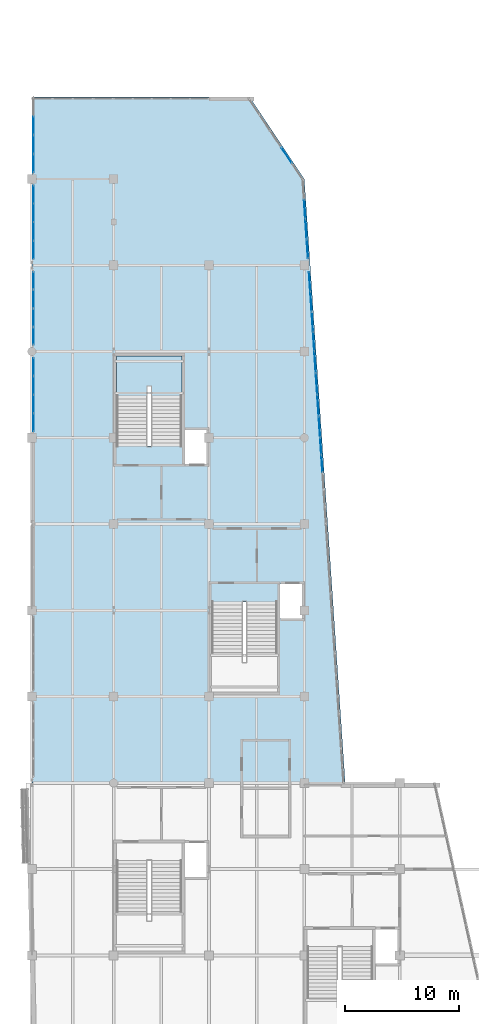
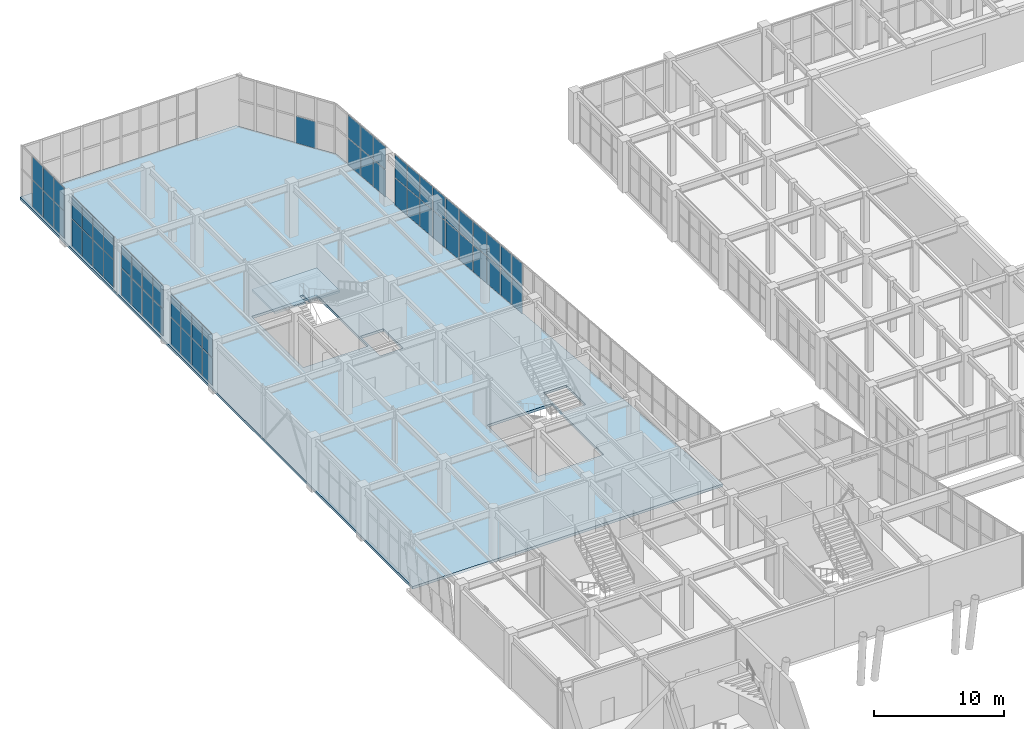
# One storey, part 99 of 128: 57 plates, 2 slabs, 10 elements without a shape of their own.
"""IFC4 building model written with IfcOpenShell, lengths in metres."""

from ifc_helpers import new_model, si_unit, direction, frame, origin, origin_2d, place, context, subcontext, project, spatial, polyline, rectangle, outline, extrude, material, layer, layer_set, type_object, element, aggregate, save


model = new_model("IFC4")

# Units and contexts
model_context = context("Model", 3, precision=1e-05, world=origin(), true_north=direction((0.0, 1.0)))
body_context = subcontext(model_context, "Body", "Model", "MODEL_VIEW")
ifc_project = project(units=[si_unit("LENGTHUNIT", "METRE"), si_unit("AREAUNIT", "SQUARE_METRE"), si_unit("VOLUMEUNIT", "CUBIC_METRE"), si_unit("PLANEANGLEUNIT", "RADIAN"), si_unit("MASSUNIT", "GRAM", prefix="KILO")], contexts=[model_context])

# Site, building, storey
site_placement = place(None, origin())
site = spatial("IfcSite", under=ifc_project, at=site_placement, CompositionType="ELEMENT")
building_placement = place(site_placement, origin())
building = spatial("IfcBuilding", under=site, at=building_placement, Name="Xicomal Pleat Aquarium", CompositionType="ELEMENT")
storey_placement = place(building_placement, frame((0.0, 0.0, 5.39990234375)))
storey = spatial("IfcBuildingStorey", under=building, at=storey_placement, Name="L02", CompositionType="ELEMENT", Elevation=5.39990234375)

# Curtain wall, plates
ifc_material_1 = material(Name="Bronze anodized aluminium 6063-T6", Category="aluminium")
ifc_layer_1 = layer(ifc_material_1, 0.159912109375)
ifc_layer_set_1 = layer_set([ifc_layer_1], Name="Bronze anodized aluminium 6063-T6")
curtain_wall_type_1 = type_object("IfcCurtainWallType", Name="CW-SYS-07", PredefinedType="NOTDEFINED", material=ifc_layer_set_1)
curtain_wall_1_placement = place(storey_placement, origin())
curtain_wall_1 = element("IfcCurtainWall", 1, at=curtain_wall_1_placement, inside=storey, type_object=curtain_wall_type_1, Name="L02 unitised curtain wall CW-L02-124", PredefinedType="NOTDEFINED")
ifc_material_2 = material(Name="Insulated low-E laminated glass", Category="glass")
ifc_layer_2 = layer(ifc_material_2, 0.028076171875)
ifc_layer_set_2 = layer_set([ifc_layer_2], Name="Insulated low-E laminated glass")
plate_type_1 = type_object("IfcPlateType", Name="CWP-GLZ-28", PredefinedType="CURTAIN_PANEL", material=ifc_layer_set_2)
plate_1_placement = place(storey_placement, frame((3.139892578125, 69.7587890625, 0.074951171875), z_axis=(0.0, 0.0, 1.0), x_axis=(0.0, 1.0, 0.0)))
plate_1 = element("IfcPlate", 2, at=plate_1_placement, type_object=plate_type_1, Name="CW-07 panel 1.1", PredefinedType="CURTAIN_PANEL", context=body_context, shape_type="SweptSolid", body=[
    extrude(rectangle(XDim=1.527587890625, YDim=0.028076171875, at=origin_2d()), origin(), (0.0, 0.0, 1.0), 2.5205078125),
])
plate_2_placement = place(storey_placement, frame((3.139892578125, 69.7587890625, 2.670654296875), z_axis=(0.0, 0.0, 1.0), x_axis=(0.0, 1.0, 0.0)))
plate_2 = element("IfcPlate", 3, at=plate_2_placement, type_object=plate_type_1, Name="CW-07 panel 1.2", PredefinedType="CURTAIN_PANEL", context=body_context, shape_type="SweptSolid", body=[
    extrude(rectangle(XDim=1.527587890625, YDim=0.028076171875, at=origin_2d()), origin(), (0.0, 0.0, 1.0), 2.12939453125),
])
plate_3_placement = place(storey_placement, frame((3.139892578125, 71.3798828125, 0.074951171875), z_axis=(0.0, 0.0, 1.0), x_axis=(0.0, 1.0, 0.0)))
plate_3 = element("IfcPlate", 4, at=plate_3_placement, type_object=plate_type_1, Name="CW-07 panel 2.1", PredefinedType="CURTAIN_PANEL", context=body_context, shape_type="SweptSolid", body=[
    extrude(rectangle(XDim=1.56494140625, YDim=0.028076171875, at=origin_2d()), origin(), (0.0, 0.0, 1.0), 2.5205078125),
])
plate_4_placement = place(storey_placement, frame((3.139892578125, 71.3798828125, 2.670654296875), z_axis=(0.0, 0.0, 1.0), x_axis=(0.0, 1.0, 0.0)))
plate_4 = element("IfcPlate", 5, at=plate_4_placement, type_object=plate_type_1, Name="CW-07 panel 2.2", PredefinedType="CURTAIN_PANEL", context=body_context, shape_type="SweptSolid", body=[
    extrude(rectangle(XDim=1.56494140625, YDim=0.028076171875, at=origin_2d()), origin(), (0.0, 0.0, 1.0), 2.12939453125),
])
plate_5_placement = place(storey_placement, frame((3.139892578125, 73.02001953125, 0.074951171875), z_axis=(0.0, 0.0, 1.0), x_axis=(0.0, 1.0, 0.0)))
plate_5 = element("IfcPlate", 6, at=plate_5_placement, type_object=plate_type_1, Name="CW-07 panel 3.1", PredefinedType="CURTAIN_PANEL", context=body_context, shape_type="SweptSolid", body=[
    extrude(rectangle(XDim=1.56494140625, YDim=0.028076171875, at=origin_2d()), origin(), (0.0, 0.0, 1.0), 2.5205078125),
])
plate_6_placement = place(storey_placement, frame((3.139892578125, 73.02001953125, 2.670654296875), z_axis=(0.0, 0.0, 1.0), x_axis=(0.0, 1.0, 0.0)))
plate_6 = element("IfcPlate", 7, at=plate_6_placement, type_object=plate_type_1, Name="CW-07 panel 3.2", PredefinedType="CURTAIN_PANEL", context=body_context, shape_type="SweptSolid", body=[
    extrude(rectangle(XDim=1.56494140625, YDim=0.028076171875, at=origin_2d()), origin(), (0.0, 0.0, 1.0), 2.12939453125),
])
plate_7_placement = place(storey_placement, frame((3.139892578125, 74.64111328125, 0.074951171875), z_axis=(0.0, 0.0, 1.0), x_axis=(0.0, 1.0, 0.0)))
plate_7 = element("IfcPlate", 8, at=plate_7_placement, type_object=plate_type_1, Name="CW-07 panel 4.1", PredefinedType="CURTAIN_PANEL", context=body_context, shape_type="SweptSolid", body=[
    extrude(rectangle(XDim=1.527587890625, YDim=0.028076171875, at=origin_2d()), origin(), (0.0, 0.0, 1.0), 2.5205078125),
])
plate_8_placement = place(storey_placement, frame((3.139892578125, 74.64111328125, 2.670654296875), z_axis=(0.0, 0.0, 1.0), x_axis=(0.0, 1.0, 0.0)))
plate_8 = element("IfcPlate", 9, at=plate_8_placement, type_object=plate_type_1, Name="CW-07 panel 4.2", PredefinedType="CURTAIN_PANEL", context=body_context, shape_type="SweptSolid", body=[
    extrude(rectangle(XDim=1.527587890625, YDim=0.028076171875, at=origin_2d()), origin(), (0.0, 0.0, 1.0), 2.12939453125),
])
aggregate(curtain_wall_1, [plate_1, plate_2, plate_3, plate_4, plate_5, plate_6, plate_7, plate_8])

ifc_material_3 = material(Name="Bronze anodized aluminium 6063-T6", Category="aluminium")
ifc_layer_3 = layer(ifc_material_3, 0.159912109375)
ifc_layer_set_3 = layer_set([ifc_layer_3], Name="Bronze anodized aluminium 6063-T6")
curtain_wall_type_2 = type_object("IfcCurtainWallType", Name="CW-SYS-02", PredefinedType="NOTDEFINED", material=ifc_layer_set_3)
curtain_wall_2_placement = place(storey_placement, origin())
curtain_wall_2 = element("IfcCurtainWall", 10, at=curtain_wall_2_placement, inside=storey, type_object=curtain_wall_type_2, Name="L02 unitised curtain wall CW-L02-132", PredefinedType="NOTDEFINED")
plate_9_placement = place(storey_placement, frame((27.47265625, 82.139892578125, 0.06494140625), z_axis=(0.0, 0.0, 1.0), x_axis=(0.067543385353, -0.997716337991, 0.0)))
plate_9 = element("IfcPlate", 11, at=plate_9_placement, type_object=plate_type_1, Name="CW-02 panel 1.1", PredefinedType="CURTAIN_PANEL", context=body_context, shape_type="SweptSolid", body=[
    extrude(rectangle(XDim=1.66796875, YDim=0.028076171875, at=origin_2d()), origin(), (0.0, 0.0, 1.0), 2.535400390625),
])
plate_10_placement = place(storey_placement, frame((27.47265625, 82.139892578125, 2.66552734375), z_axis=(0.0, 0.0, 1.0), x_axis=(0.067543385353, -0.997716337991, 0.0)))
plate_10 = element("IfcPlate", 12, at=plate_10_placement, type_object=plate_type_1, Name="CW-02 panel 1.2", PredefinedType="CURTAIN_PANEL", context=body_context, shape_type="SweptSolid", body=[
    extrude(rectangle(XDim=1.66796875, YDim=0.028076171875, at=origin_2d()), origin(), (0.0, 0.0, 1.0), 2.14453125),
])
plate_11_placement = place(storey_placement, frame((27.5908203125, 80.394775390625, 0.06494140625), z_axis=(0.0, 0.0, 1.0), x_axis=(0.067543385353, -0.997716337991, 0.0)))
plate_11 = element("IfcPlate", 13, at=plate_11_placement, type_object=plate_type_1, Name="CW-02 panel 2.1", PredefinedType="CURTAIN_PANEL", context=body_context, shape_type="SweptSolid", body=[
    extrude(rectangle(XDim=1.700439453125, YDim=0.028076171875, at=origin_2d()), origin(), (0.0, 0.0, 1.0), 2.535400390625),
])
plate_12_placement = place(storey_placement, frame((27.5908203125, 80.394775390625, 2.66552734375), z_axis=(0.0, 0.0, 1.0), x_axis=(0.067543385353, -0.997716337991, 0.0)))
plate_12 = element("IfcPlate", 14, at=plate_12_placement, type_object=plate_type_1, Name="CW-02 panel 2.2", PredefinedType="CURTAIN_PANEL", context=body_context, shape_type="SweptSolid", body=[
    extrude(rectangle(XDim=1.700439453125, YDim=0.028076171875, at=origin_2d()), origin(), (0.0, 0.0, 1.0), 2.14453125),
])
plate_13_placement = place(storey_placement, frame((27.710205078125, 78.63330078125, 0.06494140625), z_axis=(0.0, 0.0, 1.0), x_axis=(0.067543385353, -0.997716337991, 0.0)))
plate_13 = element("IfcPlate", 15, at=plate_13_placement, type_object=plate_type_1, Name="CW-02 panel 3.1", PredefinedType="CURTAIN_PANEL", context=body_context, shape_type="SweptSolid", body=[
    extrude(rectangle(XDim=1.700439453125, YDim=0.028076171875, at=origin_2d()), origin(), (0.0, 0.0, 1.0), 2.535400390625),
])
plate_14_placement = place(storey_placement, frame((27.710205078125, 78.63330078125, 2.66552734375), z_axis=(0.0, 0.0, 1.0), x_axis=(0.067543385353, -0.997716337991, 0.0)))
plate_14 = element("IfcPlate", 16, at=plate_14_placement, type_object=plate_type_1, Name="CW-02 panel 3.2", PredefinedType="CURTAIN_PANEL", context=body_context, shape_type="SweptSolid", body=[
    extrude(rectangle(XDim=1.700439453125, YDim=0.028076171875, at=origin_2d()), origin(), (0.0, 0.0, 1.0), 2.14453125),
])
plate_15_placement = place(storey_placement, frame((27.828369140625, 76.887939453125, 0.06494140625), z_axis=(0.0, 0.0, 1.0), x_axis=(0.067543385353, -0.997716337991, 0.0)))
plate_15 = element("IfcPlate", 17, at=plate_15_placement, type_object=plate_type_1, Name="CW-02 panel 4.1", PredefinedType="CURTAIN_PANEL", context=body_context, shape_type="SweptSolid", body=[
    extrude(rectangle(XDim=1.66796875, YDim=0.028076171875, at=origin_2d()), origin(), (0.0, 0.0, 1.0), 2.535400390625),
])
plate_16_placement = place(storey_placement, frame((27.828369140625, 76.887939453125, 2.66552734375), z_axis=(0.0, 0.0, 1.0), x_axis=(0.067543385353, -0.997716337991, 0.0)))
plate_16 = element("IfcPlate", 18, at=plate_16_placement, type_object=plate_type_1, Name="CW-02 panel 4.2", PredefinedType="CURTAIN_PANEL", context=body_context, shape_type="SweptSolid", body=[
    extrude(rectangle(XDim=1.66796875, YDim=0.028076171875, at=origin_2d()), origin(), (0.0, 0.0, 1.0), 2.14453125),
])
aggregate(curtain_wall_2, [plate_9, plate_10, plate_11, plate_12, plate_13, plate_14, plate_15, plate_16])

ifc_material_4 = material(Name="Bronze anodized aluminium 6063-T6", Category="aluminium")
ifc_layer_4 = layer(ifc_material_4, 0.159912109375)
ifc_layer_set_4 = layer_set([ifc_layer_4], Name="Bronze anodized aluminium 6063-T6")
curtain_wall_type_3 = type_object("IfcCurtainWallType", Name="CW-SYS-12", PredefinedType="NOTDEFINED", material=ifc_layer_set_4)
curtain_wall_3_placement = place(storey_placement, origin())
curtain_wall_3 = element("IfcCurtainWall", 19, at=curtain_wall_3_placement, inside=storey, type_object=curtain_wall_type_3, Name="L02 unitised curtain wall CW-L02-125", PredefinedType="NOTDEFINED")
ifc_material_5 = material(Name="Insulated low-E laminated glass", Category="glass")
ifc_layer_5 = layer(ifc_material_5, 0.031982421875)
ifc_layer_set_5 = layer_set([ifc_layer_5], Name="Insulated low-E laminated glass")
plate_type_2 = type_object("IfcPlateType", Name="CWP-GLZ-32", PredefinedType="CURTAIN_PANEL", material=ifc_layer_set_5)
plate_17_placement = place(storey_placement, frame((3.139892578125, 77.361083984375, 0.0849609375), z_axis=(0.0, 0.0, 1.0), x_axis=(0.0, 1.0, 0.0)))
plate_17 = element("IfcPlate", 20, at=plate_17_placement, type_object=plate_type_2, Name="CW-12 panel 1.1", PredefinedType="CURTAIN_PANEL", context=body_context, shape_type="SweptSolid", body=[
    extrude(rectangle(XDim=1.512451171875, YDim=0.031982421875, at=origin_2d()), origin(), (0.0, 0.0, 1.0), 2.505615234375),
])
plate_18_placement = place(storey_placement, frame((3.139892578125, 77.361083984375, 2.67578125), z_axis=(0.0, 0.0, 1.0), x_axis=(0.0, 1.0, 0.0)))
plate_18 = element("IfcPlate", 21, at=plate_18_placement, type_object=plate_type_2, Name="CW-12 panel 1.2", PredefinedType="CURTAIN_PANEL", context=body_context, shape_type="SweptSolid", body=[
    extrude(rectangle(XDim=1.512451171875, YDim=0.031982421875, at=origin_2d()), origin(), (0.0, 0.0, 1.0), 2.114501953125),
])
plate_19_placement = place(storey_placement, frame((3.139892578125, 78.97998046875, 0.0849609375), z_axis=(0.0, 0.0, 1.0), x_axis=(0.0, 1.0, 0.0)))
plate_19 = element("IfcPlate", 22, at=plate_19_placement, type_object=plate_type_2, Name="CW-12 panel 2.1", PredefinedType="CURTAIN_PANEL", context=body_context, shape_type="SweptSolid", body=[
    extrude(rectangle(XDim=1.554931640625, YDim=0.031982421875, at=origin_2d()), origin(), (0.0, 0.0, 1.0), 2.505615234375),
])
plate_20_placement = place(storey_placement, frame((3.139892578125, 78.97998046875, 2.67578125), z_axis=(0.0, 0.0, 1.0), x_axis=(0.0, 1.0, 0.0)))
plate_20 = element("IfcPlate", 23, at=plate_20_placement, type_object=plate_type_2, Name="CW-12 panel 2.2", PredefinedType="CURTAIN_PANEL", context=body_context, shape_type="SweptSolid", body=[
    extrude(rectangle(XDim=1.554931640625, YDim=0.031982421875, at=origin_2d()), origin(), (0.0, 0.0, 1.0), 2.114501953125),
])
plate_21_placement = place(storey_placement, frame((3.139892578125, 80.6201171875, 0.0849609375), z_axis=(0.0, 0.0, 1.0), x_axis=(0.0, 1.0, 0.0)))
plate_21 = element("IfcPlate", 24, at=plate_21_placement, type_object=plate_type_2, Name="CW-12 panel 3.1", PredefinedType="CURTAIN_PANEL", context=body_context, shape_type="SweptSolid", body=[
    extrude(rectangle(XDim=1.554931640625, YDim=0.031982421875, at=origin_2d()), origin(), (0.0, 0.0, 1.0), 2.505615234375),
])
plate_22_placement = place(storey_placement, frame((3.139892578125, 80.6201171875, 2.67578125), z_axis=(0.0, 0.0, 1.0), x_axis=(0.0, 1.0, 0.0)))
plate_22 = element("IfcPlate", 25, at=plate_22_placement, type_object=plate_type_2, Name="CW-12 panel 3.2", PredefinedType="CURTAIN_PANEL", context=body_context, shape_type="SweptSolid", body=[
    extrude(rectangle(XDim=1.554931640625, YDim=0.031982421875, at=origin_2d()), origin(), (0.0, 0.0, 1.0), 2.114501953125),
])
plate_23_placement = place(storey_placement, frame((3.139892578125, 82.23876953125, 0.0849609375), z_axis=(0.0, 0.0, 1.0), x_axis=(0.0, 1.0, 0.0)))
plate_23 = element("IfcPlate", 26, at=plate_23_placement, type_object=plate_type_2, Name="CW-12 panel 4.1", PredefinedType="CURTAIN_PANEL", context=body_context, shape_type="SweptSolid", body=[
    extrude(rectangle(XDim=1.512451171875, YDim=0.031982421875, at=origin_2d()), origin(), (0.0, 0.0, 1.0), 2.505615234375),
])
plate_24_placement = place(storey_placement, frame((3.139892578125, 82.23876953125, 2.67578125), z_axis=(0.0, 0.0, 1.0), x_axis=(0.0, 1.0, 0.0)))
plate_24 = element("IfcPlate", 27, at=plate_24_placement, type_object=plate_type_2, Name="CW-12 panel 4.2", PredefinedType="CURTAIN_PANEL", context=body_context, shape_type="SweptSolid", body=[
    extrude(rectangle(XDim=1.512451171875, YDim=0.031982421875, at=origin_2d()), origin(), (0.0, 0.0, 1.0), 2.114501953125),
])
aggregate(curtain_wall_3, [plate_17, plate_18, plate_19, plate_20, plate_21, plate_22, plate_23, plate_24])

curtain_wall_4_placement = place(storey_placement, origin())
curtain_wall_4 = element("IfcCurtainWall", 28, at=curtain_wall_4_placement, inside=storey, type_object=curtain_wall_type_1, Name="L02 unitised curtain wall CW-L02-133", PredefinedType="NOTDEFINED")
plate_25_placement = place(storey_placement, frame((27.95458984375, 75.022216796875, 0.074951171875), z_axis=(0.0, 0.0, 1.0), x_axis=(0.067477433092, -0.997720800637, 0.0)))
plate_25 = element("IfcPlate", 29, at=plate_25_placement, type_object=plate_type_2, Name="CW-07 panel 1.1", PredefinedType="CURTAIN_PANEL", context=body_context, shape_type="SweptSolid", body=[
    extrude(rectangle(XDim=1.791748046875, YDim=0.031982421875, at=origin_2d()), origin(), (0.0, 0.0, 1.0), 2.5205078125),
])
plate_26_placement = place(storey_placement, frame((27.95458984375, 75.022216796875, 2.670654296875), z_axis=(0.0, 0.0, 1.0), x_axis=(0.067477433092, -0.997720800637, 0.0)))
plate_26 = element("IfcPlate", 30, at=plate_26_placement, type_object=plate_type_2, Name="CW-07 panel 1.2", PredefinedType="CURTAIN_PANEL", context=body_context, shape_type="SweptSolid", body=[
    extrude(rectangle(XDim=1.791748046875, YDim=0.031982421875, at=origin_2d()), origin(), (0.0, 0.0, 1.0), 2.12939453125),
])
plate_27_placement = place(storey_placement, frame((28.081787109375, 73.14111328125, 0.074951171875), z_axis=(0.0, 0.0, 1.0), x_axis=(0.067477433092, -0.997720800637, 0.0)))
plate_27 = element("IfcPlate", 31, at=plate_27_placement, type_object=plate_type_2, Name="CW-07 panel 2.1", PredefinedType="CURTAIN_PANEL", context=body_context, shape_type="SweptSolid", body=[
    extrude(rectangle(XDim=1.829345703125, YDim=0.031982421875, at=origin_2d()), origin(), (0.0, 0.0, 1.0), 2.5205078125),
])
plate_28_placement = place(storey_placement, frame((28.081787109375, 73.14111328125, 2.670654296875), z_axis=(0.0, 0.0, 1.0), x_axis=(0.067477433092, -0.997720800637, 0.0)))
plate_28 = element("IfcPlate", 32, at=plate_28_placement, type_object=plate_type_2, Name="CW-07 panel 2.2", PredefinedType="CURTAIN_PANEL", context=body_context, shape_type="SweptSolid", body=[
    extrude(rectangle(XDim=1.829345703125, YDim=0.031982421875, at=origin_2d()), origin(), (0.0, 0.0, 1.0), 2.12939453125),
])
plate_29_placement = place(storey_placement, frame((28.210205078125, 71.240966796875, 0.074951171875), z_axis=(0.0, 0.0, 1.0), x_axis=(0.067477433092, -0.997720800637, 0.0)))
plate_29 = element("IfcPlate", 33, at=plate_29_placement, type_object=plate_type_2, Name="CW-07 panel 3.1", PredefinedType="CURTAIN_PANEL", context=body_context, shape_type="SweptSolid", body=[
    extrude(rectangle(XDim=1.829345703125, YDim=0.031982421875, at=origin_2d()), origin(), (0.0, 0.0, 1.0), 2.5205078125),
])
plate_30_placement = place(storey_placement, frame((28.210205078125, 71.240966796875, 2.670654296875), z_axis=(0.0, 0.0, 1.0), x_axis=(0.067477433092, -0.997720800637, 0.0)))
plate_30 = element("IfcPlate", 34, at=plate_30_placement, type_object=plate_type_2, Name="CW-07 panel 3.2", PredefinedType="CURTAIN_PANEL", context=body_context, shape_type="SweptSolid", body=[
    extrude(rectangle(XDim=1.829345703125, YDim=0.031982421875, at=origin_2d()), origin(), (0.0, 0.0, 1.0), 2.12939453125),
])
plate_31_placement = place(storey_placement, frame((28.33740234375, 69.359619140625, 0.074951171875), z_axis=(0.0, 0.0, 1.0), x_axis=(0.067477433092, -0.997720800637, 0.0)))
plate_31 = element("IfcPlate", 35, at=plate_31_placement, type_object=plate_type_2, Name="CW-07 panel 4.1", PredefinedType="CURTAIN_PANEL", context=body_context, shape_type="SweptSolid", body=[
    extrude(rectangle(XDim=1.791748046875, YDim=0.031982421875, at=origin_2d()), origin(), (0.0, 0.0, 1.0), 2.5205078125),
])
plate_32_placement = place(storey_placement, frame((28.33740234375, 69.359619140625, 2.670654296875), z_axis=(0.0, 0.0, 1.0), x_axis=(0.067477433092, -0.997720800637, 0.0)))
plate_32 = element("IfcPlate", 36, at=plate_32_placement, type_object=plate_type_2, Name="CW-07 panel 4.2", PredefinedType="CURTAIN_PANEL", context=body_context, shape_type="SweptSolid", body=[
    extrude(rectangle(XDim=1.791748046875, YDim=0.031982421875, at=origin_2d()), origin(), (0.0, 0.0, 1.0), 2.12939453125),
])
aggregate(curtain_wall_4, [plate_25, plate_26, plate_27, plate_28, plate_29, plate_30, plate_31, plate_32])

curtain_wall_5_placement = place(storey_placement, origin())
curtain_wall_5 = element("IfcCurtainWall", 37, at=curtain_wall_5_placement, inside=storey, type_object=curtain_wall_type_2, Name="L02 unitised curtain wall CW-L02-126", PredefinedType="NOTDEFINED")
ifc_material_6 = material(Name="Insulated low-E laminated glass", Category="glass")
ifc_layer_6 = layer(ifc_material_6, 0.035888671875)
ifc_layer_set_6 = layer_set([ifc_layer_6], Name="Insulated low-E laminated glass")
plate_type_3 = type_object("IfcPlateType", Name="CWP-GLZ-36", PredefinedType="CURTAIN_PANEL", material=ifc_layer_set_6)
plate_33_placement = place(storey_placement, frame((3.139892578125, 84.956298828125, 0.06494140625), z_axis=(0.0, 0.0, 1.0), x_axis=(0.0, 1.0, 0.0)))
plate_33 = element("IfcPlate", 38, at=plate_33_placement, type_object=plate_type_3, Name="CW-02 panel 1.1", PredefinedType="CURTAIN_PANEL", context=body_context, shape_type="SweptSolid", body=[
    extrude(rectangle(XDim=1.54248046875, YDim=0.035888671875, at=origin_2d()), origin(), (0.0, 0.0, 1.0), 2.535400390625),
])
plate_34_placement = place(storey_placement, frame((3.139892578125, 84.956298828125, 2.66552734375), z_axis=(0.0, 0.0, 1.0), x_axis=(0.0, 1.0, 0.0)))
plate_34 = element("IfcPlate", 39, at=plate_34_placement, type_object=plate_type_3, Name="CW-02 panel 1.2", PredefinedType="CURTAIN_PANEL", context=body_context, shape_type="SweptSolid", body=[
    extrude(rectangle(XDim=1.54248046875, YDim=0.035888671875, at=origin_2d()), origin(), (0.0, 0.0, 1.0), 2.14453125),
])
plate_35_placement = place(storey_placement, frame((3.139892578125, 86.580078125, 0.06494140625), z_axis=(0.0, 0.0, 1.0), x_axis=(0.0, 1.0, 0.0)))
plate_35 = element("IfcPlate", 40, at=plate_35_placement, type_object=plate_type_3, Name="CW-02 panel 2.1", PredefinedType="CURTAIN_PANEL", context=body_context, shape_type="SweptSolid", body=[
    extrude(rectangle(XDim=1.574951171875, YDim=0.035888671875, at=origin_2d()), origin(), (0.0, 0.0, 1.0), 2.535400390625),
])
plate_36_placement = place(storey_placement, frame((3.139892578125, 86.580078125, 2.66552734375), z_axis=(0.0, 0.0, 1.0), x_axis=(0.0, 1.0, 0.0)))
plate_36 = element("IfcPlate", 41, at=plate_36_placement, type_object=plate_type_3, Name="CW-02 panel 2.2", PredefinedType="CURTAIN_PANEL", context=body_context, shape_type="SweptSolid", body=[
    extrude(rectangle(XDim=1.574951171875, YDim=0.035888671875, at=origin_2d()), origin(), (0.0, 0.0, 1.0), 2.14453125),
])
plate_37_placement = place(storey_placement, frame((3.139892578125, 88.219970703125, 0.06494140625), z_axis=(0.0, 0.0, 1.0), x_axis=(0.0, 1.0, 0.0)))
plate_37 = element("IfcPlate", 42, at=plate_37_placement, type_object=plate_type_3, Name="CW-02 panel 3.1", PredefinedType="CURTAIN_PANEL", context=body_context, shape_type="SweptSolid", body=[
    extrude(rectangle(XDim=1.574951171875, YDim=0.035888671875, at=origin_2d()), origin(), (0.0, 0.0, 1.0), 2.535400390625),
])
plate_38_placement = place(storey_placement, frame((3.139892578125, 88.219970703125, 2.66552734375), z_axis=(0.0, 0.0, 1.0), x_axis=(0.0, 1.0, 0.0)))
plate_38 = element("IfcPlate", 43, at=plate_38_placement, type_object=plate_type_3, Name="CW-02 panel 3.2", PredefinedType="CURTAIN_PANEL", context=body_context, shape_type="SweptSolid", body=[
    extrude(rectangle(XDim=1.574951171875, YDim=0.035888671875, at=origin_2d()), origin(), (0.0, 0.0, 1.0), 2.14453125),
])
plate_39_placement = place(storey_placement, frame((3.139892578125, 89.84375, 0.06494140625), z_axis=(0.0, 0.0, 1.0), x_axis=(0.0, 1.0, 0.0)))
plate_39 = element("IfcPlate", 44, at=plate_39_placement, type_object=plate_type_3, Name="CW-02 panel 4.1", PredefinedType="CURTAIN_PANEL", context=body_context, shape_type="SweptSolid", body=[
    extrude(rectangle(XDim=1.54248046875, YDim=0.035888671875, at=origin_2d()), origin(), (0.0, 0.0, 1.0), 2.535400390625),
])
plate_40_placement = place(storey_placement, frame((3.139892578125, 89.84375, 2.66552734375), z_axis=(0.0, 0.0, 1.0), x_axis=(0.0, 1.0, 0.0)))
plate_40 = element("IfcPlate", 45, at=plate_40_placement, type_object=plate_type_3, Name="CW-02 panel 4.2", PredefinedType="CURTAIN_PANEL", context=body_context, shape_type="SweptSolid", body=[
    extrude(rectangle(XDim=1.54248046875, YDim=0.035888671875, at=origin_2d()), origin(), (0.0, 0.0, 1.0), 2.14453125),
])
aggregate(curtain_wall_5, [plate_33, plate_34, plate_35, plate_36, plate_37, plate_38, plate_39, plate_40])

# Curtain wall, plate
curtain_wall_6_placement = place(storey_placement, origin())
curtain_wall_6 = element("IfcCurtainWall", 46, at=curtain_wall_6_placement, inside=storey, type_object=curtain_wall_type_1, Name="L02 unitised curtain wall CW-L02-130", PredefinedType="NOTDEFINED")
plate_41_placement = place(storey_placement, frame((25.444091796875, 93.281982421875, 0.0751953125), z_axis=(0.0, 0.0, 1.0), x_axis=(0.554700196226, -0.832050294338, 0.0)))
plate_41 = element("IfcPlate", 47, at=plate_41_placement, type_object=plate_type_3, Name="CW-07 panel 4.1", PredefinedType="CURTAIN_PANEL", context=body_context, shape_type="SweptSolid", body=[
    extrude(rectangle(XDim=1.65576171875, YDim=0.035888671875, at=origin_2d()), origin(), (0.0, 0.0, 1.0), 2.511474609375),
])
aggregate(curtain_wall_6, [plate_41])

# Curtain wall, plates
curtain_wall_7_placement = place(storey_placement, origin())
curtain_wall_7 = element("IfcCurtainWall", 48, at=curtain_wall_7_placement, inside=storey, type_object=curtain_wall_type_3, Name="L02 unitised curtain wall CW-L02-134", PredefinedType="NOTDEFINED")
plate_42_placement = place(storey_placement, frame((28.455810546875, 67.60986328125, 0.0849609375), z_axis=(0.0, 0.0, 1.0), x_axis=(0.067477433092, -0.997720800637, 0.0)))
plate_42 = element("IfcPlate", 49, at=plate_42_placement, type_object=plate_type_3, Name="CW-12 panel 1.1", PredefinedType="CURTAIN_PANEL", context=body_context, shape_type="SweptSolid", body=[
    extrude(rectangle(XDim=1.39599609375, YDim=0.035888671875, at=origin_2d()), origin(), (0.0, 0.0, 1.0), 2.505615234375),
])
plate_43_placement = place(storey_placement, frame((28.455810546875, 67.60986328125, 2.67578125), z_axis=(0.0, 0.0, 1.0), x_axis=(0.067477433092, -0.997720800637, 0.0)))
plate_43 = element("IfcPlate", 50, at=plate_43_placement, type_object=plate_type_3, Name="CW-12 panel 1.2", PredefinedType="CURTAIN_PANEL", context=body_context, shape_type="SweptSolid", body=[
    extrude(rectangle(XDim=1.39599609375, YDim=0.035888671875, at=origin_2d()), origin(), (0.0, 0.0, 1.0), 2.114501953125),
])
plate_44_placement = place(storey_placement, frame((28.55712890625, 66.111083984375, 0.0849609375), z_axis=(0.0, 0.0, 1.0), x_axis=(0.067477433092, -0.997720800637, 0.0)))
plate_44 = element("IfcPlate", 51, at=plate_44_placement, type_object=plate_type_3, Name="CW-12 panel 2.1", PredefinedType="CURTAIN_PANEL", context=body_context, shape_type="SweptSolid", body=[
    extrude(rectangle(XDim=1.4384765625, YDim=0.035888671875, at=origin_2d()), origin(), (0.0, 0.0, 1.0), 2.505615234375),
])
plate_45_placement = place(storey_placement, frame((28.55712890625, 66.111083984375, 2.67578125), z_axis=(0.0, 0.0, 1.0), x_axis=(0.067477433092, -0.997720800637, 0.0)))
plate_45 = element("IfcPlate", 52, at=plate_45_placement, type_object=plate_type_3, Name="CW-12 panel 2.2", PredefinedType="CURTAIN_PANEL", context=body_context, shape_type="SweptSolid", body=[
    extrude(rectangle(XDim=1.4384765625, YDim=0.035888671875, at=origin_2d()), origin(), (0.0, 0.0, 1.0), 2.114501953125),
])
aggregate(curtain_wall_7, [plate_42, plate_43, plate_44, plate_45])

curtain_wall_8_placement = place(storey_placement, origin())
curtain_wall_8 = element("IfcCurtainWall", 53, at=curtain_wall_8_placement, inside=storey, type_object=curtain_wall_type_1, Name="L02 unitised curtain wall CW-L02-127", PredefinedType="NOTDEFINED")
ifc_material_7 = material(Name="Insulated low-E laminated glass", Category="glass")
ifc_layer_7 = layer(ifc_material_7, 0.0419921875)
ifc_layer_set_7 = layer_set([ifc_layer_7], Name="Insulated low-E laminated glass")
plate_type_4 = type_object("IfcPlateType", Name="CWP-GLZ-42", PredefinedType="CURTAIN_PANEL", material=ifc_layer_set_7)
plate_46_placement = place(storey_placement, frame((3.139892578125, 92.57373046875, 0.0751953125), z_axis=(0.0, 0.0, 1.0), x_axis=(0.0, 1.0, 0.0)))
plate_46 = element("IfcPlate", 54, at=plate_46_placement, type_object=plate_type_4, Name="CW-07 panel 1.1", PredefinedType="CURTAIN_PANEL", context=body_context, shape_type="SweptSolid", body=[
    extrude(rectangle(XDim=1.5576171875, YDim=0.0419921875, at=origin_2d()), origin(), (0.0, 0.0, 1.0), 2.511474609375),
])
plate_47_placement = place(storey_placement, frame((3.139892578125, 92.57373046875, 2.66162109375), z_axis=(0.0, 0.0, 1.0), x_axis=(0.0, 1.0, 0.0)))
plate_47 = element("IfcPlate", 55, at=plate_47_placement, type_object=plate_type_4, Name="CW-07 panel 1.2", PredefinedType="CURTAIN_PANEL", context=body_context, shape_type="SweptSolid", body=[
    extrude(rectangle(XDim=1.5576171875, YDim=0.0419921875, at=origin_2d()), origin(), (0.0, 0.0, 1.0), 2.12353515625),
])
plate_48_placement = place(storey_placement, frame((3.139892578125, 94.22509765625, 0.0751953125), z_axis=(0.0, 0.0, 1.0), x_axis=(0.0, 1.0, 0.0)))
plate_48 = element("IfcPlate", 56, at=plate_48_placement, type_object=plate_type_4, Name="CW-07 panel 2.1", PredefinedType="CURTAIN_PANEL", context=body_context, shape_type="SweptSolid", body=[
    extrude(rectangle(XDim=1.594970703125, YDim=0.0419921875, at=origin_2d()), origin(), (0.0, 0.0, 1.0), 2.511474609375),
])
plate_49_placement = place(storey_placement, frame((3.139892578125, 94.22509765625, 2.66162109375), z_axis=(0.0, 0.0, 1.0), x_axis=(0.0, 1.0, 0.0)))
plate_49 = element("IfcPlate", 57, at=plate_49_placement, type_object=plate_type_4, Name="CW-07 panel 2.2", PredefinedType="CURTAIN_PANEL", context=body_context, shape_type="SweptSolid", body=[
    extrude(rectangle(XDim=1.594970703125, YDim=0.0419921875, at=origin_2d()), origin(), (0.0, 0.0, 1.0), 2.12353515625),
])
plate_50_placement = place(storey_placement, frame((3.139892578125, 95.89501953125, 0.0751953125), z_axis=(0.0, 0.0, 1.0), x_axis=(0.0, 1.0, 0.0)))
plate_50 = element("IfcPlate", 58, at=plate_50_placement, type_object=plate_type_4, Name="CW-07 panel 3.1", PredefinedType="CURTAIN_PANEL", context=body_context, shape_type="SweptSolid", body=[
    extrude(rectangle(XDim=1.594970703125, YDim=0.0419921875, at=origin_2d()), origin(), (0.0, 0.0, 1.0), 2.511474609375),
])
plate_51_placement = place(storey_placement, frame((3.139892578125, 95.89501953125, 2.66162109375), z_axis=(0.0, 0.0, 1.0), x_axis=(0.0, 1.0, 0.0)))
plate_51 = element("IfcPlate", 59, at=plate_51_placement, type_object=plate_type_4, Name="CW-07 panel 3.2", PredefinedType="CURTAIN_PANEL", context=body_context, shape_type="SweptSolid", body=[
    extrude(rectangle(XDim=1.594970703125, YDim=0.0419921875, at=origin_2d()), origin(), (0.0, 0.0, 1.0), 2.12353515625),
])
aggregate(curtain_wall_8, [plate_46, plate_47, plate_48, plate_49, plate_50, plate_51])

curtain_wall_9_placement = place(storey_placement, origin())
curtain_wall_9 = element("IfcCurtainWall", 60, at=curtain_wall_9_placement, inside=storey, type_object=curtain_wall_type_3, Name="L02 unitised curtain wall CW-L02-131", PredefinedType="NOTDEFINED")
plate_52_placement = place(storey_placement, frame((27.038818359375, 88.54833984375, 0.0849609375), z_axis=(0.0, 0.0, 1.0), x_axis=(0.067533844372, -0.997716983851, 0.0)))
plate_52 = element("IfcPlate", 61, at=plate_52_placement, type_object=plate_type_4, Name="CW-12 panel 2.1", PredefinedType="CURTAIN_PANEL", context=body_context, shape_type="SweptSolid", body=[
    extrude(rectangle(XDim=1.680908203125, YDim=0.0419921875, at=origin_2d()), origin(), (0.0, 0.0, 1.0), 2.49658203125),
])
plate_53_placement = place(storey_placement, frame((27.038818359375, 88.54833984375, 2.66650390625), z_axis=(0.0, 0.0, 1.0), x_axis=(0.067533844372, -0.997716983851, 0.0)))
plate_53 = element("IfcPlate", 62, at=plate_53_placement, type_object=plate_type_4, Name="CW-12 panel 2.2", PredefinedType="CURTAIN_PANEL", context=body_context, shape_type="SweptSolid", body=[
    extrude(rectangle(XDim=1.680908203125, YDim=0.0419921875, at=origin_2d()), origin(), (0.0, 0.0, 1.0), 2.1083984375),
])
plate_54_placement = place(storey_placement, frame((27.158203125, 86.78662109375, 0.0849609375), z_axis=(0.0, 0.0, 1.0), x_axis=(0.067533844372, -0.997716983851, 0.0)))
plate_54 = element("IfcPlate", 63, at=plate_54_placement, type_object=plate_type_4, Name="CW-12 panel 3.1", PredefinedType="CURTAIN_PANEL", context=body_context, shape_type="SweptSolid", body=[
    extrude(rectangle(XDim=1.680908203125, YDim=0.0419921875, at=origin_2d()), origin(), (0.0, 0.0, 1.0), 2.49658203125),
])
plate_55_placement = place(storey_placement, frame((27.158203125, 86.78662109375, 2.66650390625), z_axis=(0.0, 0.0, 1.0), x_axis=(0.067533844372, -0.997716983851, 0.0)))
plate_55 = element("IfcPlate", 64, at=plate_55_placement, type_object=plate_type_4, Name="CW-12 panel 3.2", PredefinedType="CURTAIN_PANEL", context=body_context, shape_type="SweptSolid", body=[
    extrude(rectangle(XDim=1.680908203125, YDim=0.0419921875, at=origin_2d()), origin(), (0.0, 0.0, 1.0), 2.1083984375),
])
plate_56_placement = place(storey_placement, frame((27.27587890625, 85.046142578125, 0.0849609375), z_axis=(0.0, 0.0, 1.0), x_axis=(0.067533844372, -0.997716983851, 0.0)))
plate_56 = element("IfcPlate", 65, at=plate_56_placement, type_object=plate_type_4, Name="CW-12 panel 4.1", PredefinedType="CURTAIN_PANEL", context=body_context, shape_type="SweptSolid", body=[
    extrude(rectangle(XDim=1.63818359375, YDim=0.0419921875, at=origin_2d()), origin(), (0.0, 0.0, 1.0), 2.49658203125),
])
plate_57_placement = place(storey_placement, frame((27.27587890625, 85.046142578125, 2.66650390625), z_axis=(0.0, 0.0, 1.0), x_axis=(0.067533844372, -0.997716983851, 0.0)))
plate_57 = element("IfcPlate", 66, at=plate_57_placement, type_object=plate_type_4, Name="CW-12 panel 4.2", PredefinedType="CURTAIN_PANEL", context=body_context, shape_type="SweptSolid", body=[
    extrude(rectangle(XDim=1.63818359375, YDim=0.0419921875, at=origin_2d()), origin(), (0.0, 0.0, 1.0), 2.1083984375),
])
aggregate(curtain_wall_9, [plate_52, plate_53, plate_54, plate_55, plate_56, plate_57])

# Slab
ifc_material_8 = material(Name="Concrete C35/45", Category="concrete")
ifc_layer_8 = layer(ifc_material_8, 0.239990234375)
ifc_layer_set_8 = layer_set([ifc_layer_8], Name="Concrete C35/45")
slab_type_1 = type_object("IfcSlabType", Name="SLB-FLR-240", PredefinedType="FLOOR", material=ifc_layer_set_8)
slab_1_placement = place(storey_placement, frame((0.0, 0.0, -0.239990234375)))
element("IfcSlab", 67, at=slab_1_placement, inside=storey, type_object=slab_type_1, Name="L02 structural slab V5", PredefinedType="FLOOR", context=body_context, shape_type="SweptSolid", body=[
    extrude(outline(polyline([(3.0, 38.0), (3.0, 98.39990234375), (22.199951171875, 98.39990234375), (27.0, 91.199951171875), (30.60009765625, 38.0), (3.0, 38.0)]), holes=[polyline([(10.43994140625, 67.679931640625), (16.219970703125, 67.679931640625), (16.219970703125, 75.60009765625), (10.43994140625, 75.60009765625), (10.43994140625, 67.679931640625)]), polyline([(16.360107421875, 66.10009765625), (18.39990234375, 66.10009765625), (18.39990234375, 69.10009765625), (16.360107421875, 69.10009765625), (16.360107421875, 66.10009765625)]), polyline([(18.840087890625, 46.0), (24.6201171875, 46.0), (24.6201171875, 53.919921875), (18.840087890625, 53.919921875), (18.840087890625, 46.0)]), polyline([(24.760009765625, 52.5), (26.800048828125, 52.5), (26.800048828125, 55.5), (24.760009765625, 55.5), (24.760009765625, 52.5)])]), origin(), (0.0, 0.0, 1.0), 0.239990234375),
])

# Stair, slab
ifc_material_9 = material(Name="Concrete C35/45", Category="concrete")
stair_type = type_object("IfcStairType", Name="STR-HT-5100-2400", PredefinedType="HALF_TURN_STAIR", material=ifc_material_9)
stair_placement = place(storey_placement, origin())
stair = element("IfcStair", 68, at=stair_placement, inside=storey, type_object=stair_type, Name="ST-03 fire exit stair L02 to L03", PredefinedType="HALF_TURN_STAIR")
ifc_material_10 = material(Name="Concrete C35/45", Category="concrete")
ifc_layer_9 = layer(ifc_material_10, 0.195068359375)
ifc_layer_set_9 = layer_set([ifc_layer_9], Name="Concrete C35/45")
slab_type_2 = type_object("IfcSlabType", Name="SLB-LND-195", PredefinedType="LANDING", material=ifc_layer_set_9)
slab_2_placement = place(storey_placement, frame((0.0, 0.0, 2.35498046875)))
slab_2 = element("IfcSlab", 69, at=slab_2_placement, type_object=slab_type_2, Name="ST-03 landing 1", PredefinedType="LANDING", context=body_context, shape_type="SweptSolid", body=[
    extrude(outline(polyline([(10.43994140625, 75.60009765625), (16.219970703125, 75.60009765625), (16.219970703125, 72.068115234375), (13.47998046875, 72.068115234375), (13.47998046875, 72.97802734375), (13.179931640625, 72.97802734375), (13.179931640625, 72.068115234375), (10.43994140625, 72.068115234375), (10.43994140625, 75.60009765625)])), origin(), (0.0, 0.0, 1.0), 0.195068359375),
])
aggregate(stair, [slab_2])

save(model, "model.ifc")
